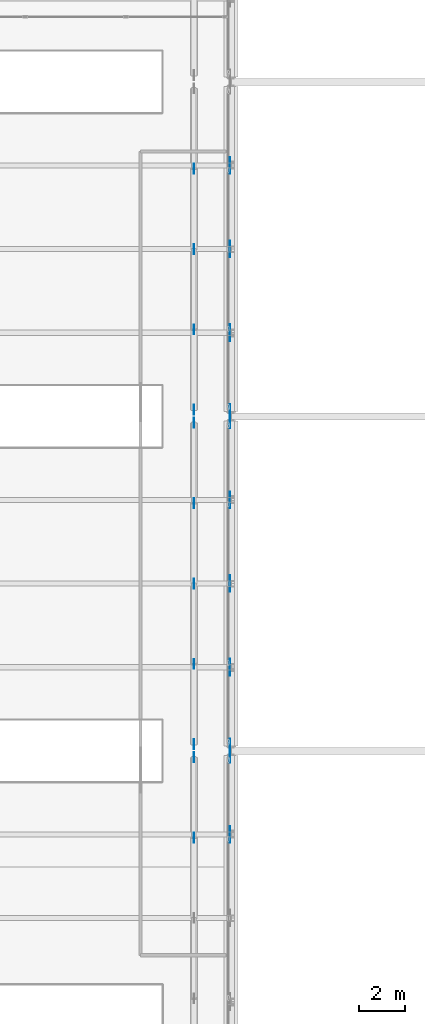
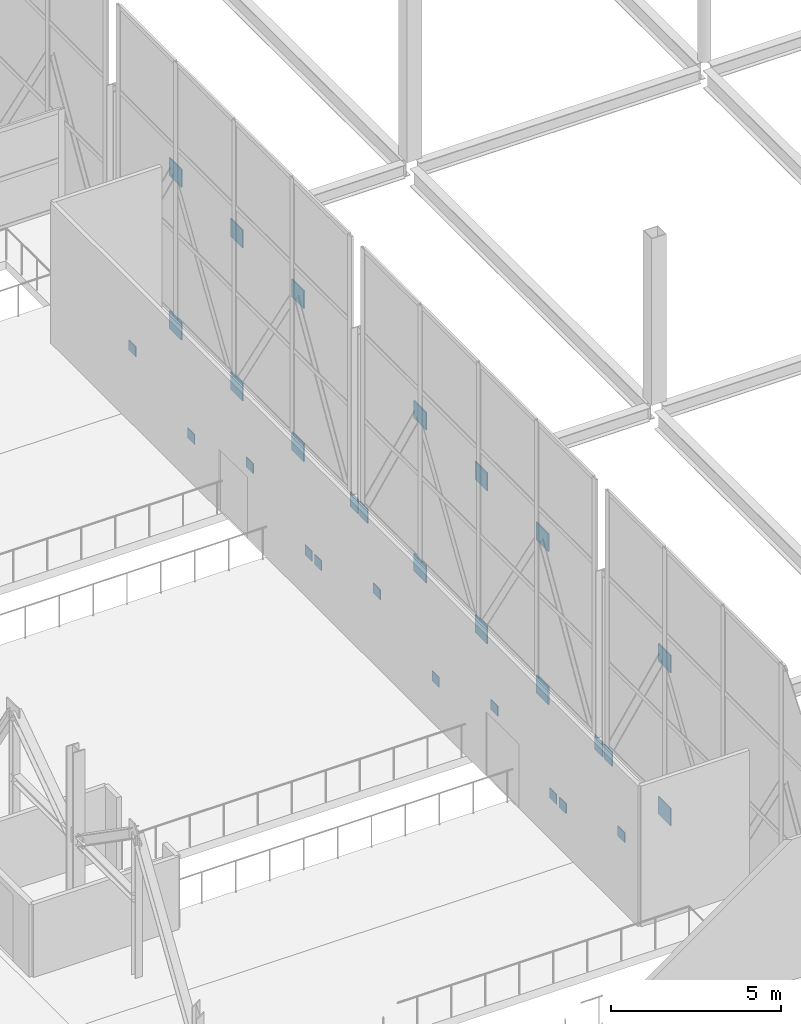
# One storey, part 163 of 191: 29 plates.
"""IFC4 building model written with IfcOpenShell, lengths in metres."""

from ifc_helpers import new_model, si_unit, direction, frame, origin, origin_2d, place, context, subcontext, project, spatial, rectangle, extrude, material, layer, layer_set, type_object, element, save


model = new_model("IFC4")

# Units and contexts
model_context = context("Model", 3, precision=1e-05, world=origin(), true_north=direction((0.0, 1.0)))
body_context = subcontext(model_context, "Body", "Model", "MODEL_VIEW")
ifc_project = project(units=[si_unit("LENGTHUNIT", "METRE"), si_unit("AREAUNIT", "SQUARE_METRE"), si_unit("VOLUMEUNIT", "CUBIC_METRE"), si_unit("PLANEANGLEUNIT", "RADIAN"), si_unit("MASSUNIT", "GRAM", prefix="KILO")], contexts=[model_context])

# Site, building, storey
site_placement = place(None, origin())
site = spatial("IfcSite", under=ifc_project, at=site_placement, CompositionType="ELEMENT")
building_placement = place(site_placement, origin())
building = spatial("IfcBuilding", under=site, at=building_placement, Name="Tamarisk Ironworks Central Station", CompositionType="ELEMENT")
storey_placement = place(building_placement, frame((0.0, 0.0, 6.60009765625)))
storey = spatial("IfcBuildingStorey", under=building, at=storey_placement, Name="L01", CompositionType="ELEMENT", Elevation=6.60009765625)

# Plates
ifc_material_1 = material(Name="Structural steel S355J2H", Category="steel")
ifc_layer_1 = layer(ifc_material_1, 0.02587890625)
ifc_layer_set_1 = layer_set([ifc_layer_1], Name="Structural steel S355J2H")
plate_type_1 = type_object("IfcPlateType", Name="PL-ND26", PredefinedType="SHEET", material=ifc_layer_set_1)
for number, where, z_axis, x_axis, name in (
    (1, (106.39990234375, 32.260009765625, -0.76025390625), (0.0, 0.0, 1.0), (1.0, 0.0, 0.0), "Bridge deck stiffening brace gusset plate 192"),
    (2, (106.39990234375, 35.719970703125, -1.8203125), (0.0, 0.0, 1.0), (1.0, 0.0, 0.0), "Bridge deck stiffening brace gusset plate 193"),
    (3, (106.39990234375, 36.280029296875, -1.8203125), (0.0, 0.0, 1.0), (1.0, 0.0, 0.0), "Bridge deck stiffening brace gusset plate 194"),
    (4, (106.39990234375, 39.739990234375, -0.76025390625), (0.0, 0.0, 1.0), (1.0, 0.0, 0.0), "Bridge deck stiffening brace gusset plate 195"),
    (5, (106.39990234375, 43.199951171875, -1.8203125), (0.0, 0.0, 1.0), (1.0, 0.0, 0.0), "Bridge deck stiffening brace gusset plate 196"),
    (6, (106.39990234375, 46.659912109375, -0.76025390625), (0.0, 0.0, 1.0), (1.0, 0.0, 0.0), "Bridge deck stiffening brace gusset plate 197"),
    (7, (106.39990234375, 50.1201171875, -1.8203125), (0.0, 0.0, 1.0), (1.0, 0.0, 0.0), "Bridge deck stiffening brace gusset plate 198"),
    (8, (106.39990234375, 50.679931640625, -1.8203125), (0.0, 0.0, 1.0), (1.0, 0.0, 0.0), "Bridge deck stiffening brace gusset plate 199"),
    (9, (106.39990234375, 54.139892578125, -0.76025390625), (0.0, 0.0, 1.0), (1.0, 0.0, 0.0), "Bridge deck stiffening brace gusset plate 200"),
    (10, (106.39990234375, 57.60009765625, -1.8203125), (0.0, 0.0, 1.0), (1.0, 0.0, 0.0), "Bridge deck stiffening brace gusset plate 201"),
    (11, (106.39990234375, 61.06005859375, -0.76025390625), (0.0, 0.0, 1.0), (1.0, 0.0, 0.0), "Bridge deck stiffening brace gusset plate 202"),
):
    element("IfcPlate", number, at=place(storey_placement, frame(where, z_axis=z_axis, x_axis=x_axis)), inside=storey, type_object=plate_type_1, Name=name, PredefinedType="SHEET", context=body_context, shape_type="SweptSolid", body=[
        extrude(rectangle(XDim=0.02587890625, YDim=0.419921875, at=origin_2d()), origin(), (0.0, 0.0, 1.0), 0.360107421875),
    ])
ifc_material_2 = material(Name="Structural steel S355J2", Category="steel")
ifc_layer_2 = layer(ifc_material_2, 0.0380859375)
ifc_layer_set_2 = layer_set([ifc_layer_2], Name="Structural steel S355J2")
plate_type_2 = type_object("IfcPlateType", Name="PL-ND38", PredefinedType="SHEET", material=ifc_layer_set_2)
for number, where, z_axis, x_axis, name in (
    (12, (107.955078125, 32.39990234375, -0.7001953125), (0.0, 0.0, 1.0), (1.0, 0.0, 0.0), "Transfer truss gusset node plate 101"),
    (13, (107.955078125, 32.39990234375, 4.7998046875), (0.0, 0.0, 1.0), (1.0, 0.0, 0.0), "Transfer truss gusset node plate 102"),
):
    element("IfcPlate", number, at=place(storey_placement, frame(where, z_axis=z_axis, x_axis=x_axis)), inside=storey, type_object=plate_type_2, Name=name, PredefinedType="SHEET", context=body_context, shape_type="SweptSolid", body=[
        extrude(rectangle(XDim=0.0380859375, YDim=0.719970703125, at=origin_2d()), origin(), (0.0, 0.0, 1.0), 0.639892578125),
    ])
plate_1_placement = place(storey_placement, frame((107.955078125, 35.719970703125, -0.64013671875), z_axis=(0.0, 0.0, 1.0), x_axis=(1.0, 0.0, 0.0)))
element("IfcPlate", 14, at=plate_1_placement, inside=storey, type_object=plate_type_2, Name="Transfer truss end gusset node plate 104", PredefinedType="SHEET", context=body_context, shape_type="SweptSolid", body=[
    extrude(rectangle(XDim=0.0380859375, YDim=0.47998046875, at=origin_2d()), origin(), (0.0, 0.0, 1.0), 0.52001953125),
])
for number, where, z_axis, x_axis, name in (
    (15, (107.955078125, 39.60009765625, -0.7001953125), (0.0, 0.0, 1.0), (1.0, 0.0, 0.0), "Transfer truss gusset node plate 105"),
    (16, (107.955078125, 39.60009765625, 4.7998046875), (0.0, 0.0, 1.0), (1.0, 0.0, 0.0), "Transfer truss gusset node plate 106"),
    (17, (107.955078125, 43.199951171875, -0.7001953125), (0.0, 0.0, 1.0), (1.0, 0.0, 0.0), "Transfer truss gusset node plate 107"),
    (18, (107.955078125, 43.199951171875, 4.7998046875), (0.0, 0.0, 1.0), (1.0, 0.0, 0.0), "Transfer truss gusset node plate 108"),
    (19, (107.955078125, 46.800048828125, -0.7001953125), (0.0, 0.0, 1.0), (1.0, 0.0, 0.0), "Transfer truss gusset node plate 109"),
    (20, (107.955078125, 46.800048828125, 4.7998046875), (0.0, 0.0, 1.0), (1.0, 0.0, 0.0), "Transfer truss gusset node plate 110"),
):
    element("IfcPlate", number, at=place(storey_placement, frame(where, z_axis=z_axis, x_axis=x_axis)), inside=storey, type_object=plate_type_2, Name=name, PredefinedType="SHEET", context=body_context, shape_type="SweptSolid", body=[
        extrude(rectangle(XDim=0.0380859375, YDim=0.719970703125, at=origin_2d()), origin(), (0.0, 0.0, 1.0), 0.639892578125),
    ])
for number, where, z_axis, x_axis, name in (
    (21, (107.955078125, 36.280029296875, -0.64013671875), (0.0, 0.0, 1.0), (1.0, 0.0, 0.0), "Transfer truss end gusset node plate 111"),
    (22, (107.955078125, 50.1201171875, -0.64013671875), (0.0, 0.0, 1.0), (1.0, 0.0, 0.0), "Transfer truss end gusset node plate 112"),
):
    element("IfcPlate", number, at=place(storey_placement, frame(where, z_axis=z_axis, x_axis=x_axis)), inside=storey, type_object=plate_type_2, Name=name, PredefinedType="SHEET", context=body_context, shape_type="SweptSolid", body=[
        extrude(rectangle(XDim=0.0380859375, YDim=0.47998046875, at=origin_2d()), origin(), (0.0, 0.0, 1.0), 0.52001953125),
    ])
for number, where, z_axis, x_axis, name in (
    (23, (107.955078125, 54.0, -0.7001953125), (0.0, 0.0, 1.0), (1.0, 0.0, 0.0), "Transfer truss gusset node plate 113"),
    (24, (107.955078125, 54.0, 4.7998046875), (0.0, 0.0, 1.0), (1.0, 0.0, 0.0), "Transfer truss gusset node plate 114"),
    (25, (107.955078125, 57.60009765625, -0.7001953125), (0.0, 0.0, 1.0), (1.0, 0.0, 0.0), "Transfer truss gusset node plate 115"),
    (26, (107.955078125, 57.60009765625, 4.7998046875), (0.0, 0.0, 1.0), (1.0, 0.0, 0.0), "Transfer truss gusset node plate 116"),
    (27, (107.955078125, 61.199951171875, -0.7001953125), (0.0, 0.0, 1.0), (1.0, 0.0, 0.0), "Transfer truss gusset node plate 117"),
    (28, (107.955078125, 61.199951171875, 4.7998046875), (0.0, 0.0, 1.0), (1.0, 0.0, 0.0), "Transfer truss gusset node plate 118"),
):
    element("IfcPlate", number, at=place(storey_placement, frame(where, z_axis=z_axis, x_axis=x_axis)), inside=storey, type_object=plate_type_2, Name=name, PredefinedType="SHEET", context=body_context, shape_type="SweptSolid", body=[
        extrude(rectangle(XDim=0.0380859375, YDim=0.719970703125, at=origin_2d()), origin(), (0.0, 0.0, 1.0), 0.639892578125),
    ])
plate_2_placement = place(storey_placement, frame((107.955078125, 50.679931640625, -0.64013671875), z_axis=(0.0, 0.0, 1.0), x_axis=(1.0, 0.0, 0.0)))
element("IfcPlate", 29, at=plate_2_placement, inside=storey, type_object=plate_type_2, Name="Transfer truss end gusset node plate 119", PredefinedType="SHEET", context=body_context, shape_type="SweptSolid", body=[
    extrude(rectangle(XDim=0.0380859375, YDim=0.47998046875, at=origin_2d()), origin(), (0.0, 0.0, 1.0), 0.52001953125),
])

save(model, "model.ifc")
